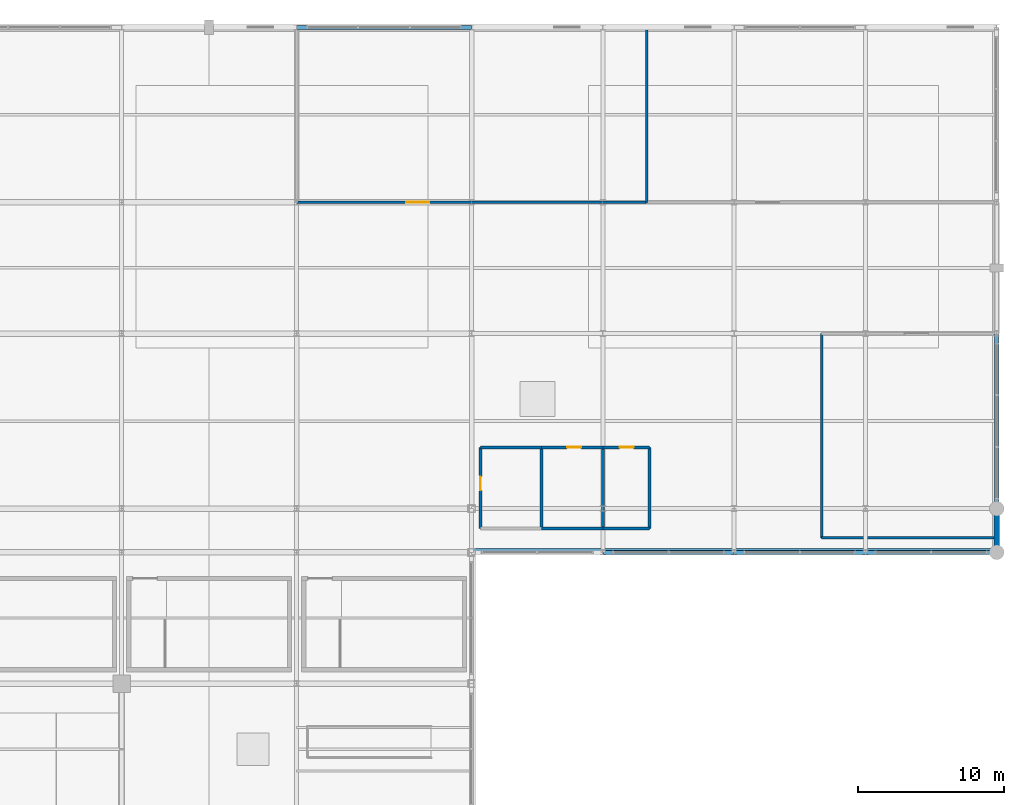
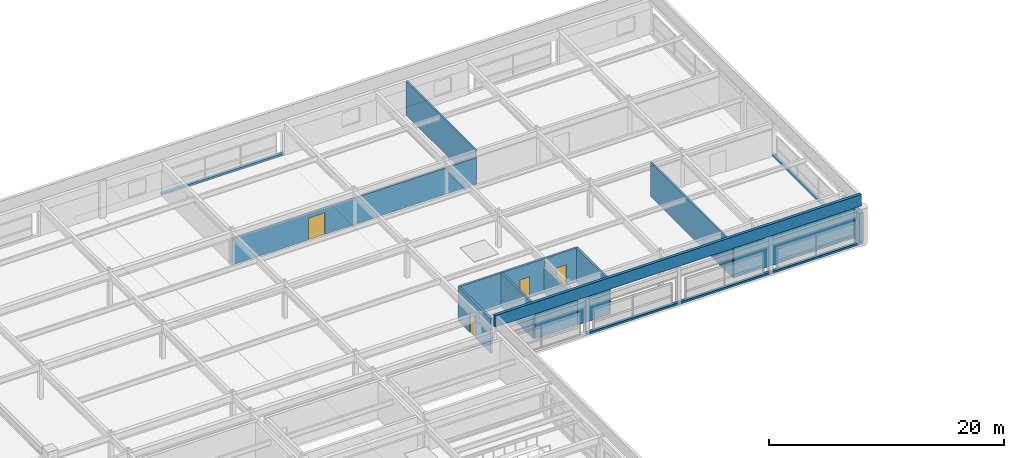
# One storey, part 98 of 108: 20 walls, 4 doors, 4 openings.
"""IFC4 building model written with IfcOpenShell, lengths in metres."""

from ifc_helpers import new_model, si_unit, direction, frame, frame_2d, origin, place, context, subcontext, project, spatial, rectangle, extrude, material, layer, layer_set, type_object, element, fill, save


model = new_model("IFC4")

# Units and contexts
model_context = context("Model", 3, precision=1e-05, world=origin(), true_north=direction((0.0, 1.0)))
body_context = subcontext(model_context, "Body", "Model", "MODEL_VIEW")
ifc_project = project(units=[si_unit("LENGTHUNIT", "METRE"), si_unit("AREAUNIT", "SQUARE_METRE"), si_unit("VOLUMEUNIT", "CUBIC_METRE"), si_unit("PLANEANGLEUNIT", "RADIAN"), si_unit("MASSUNIT", "GRAM", prefix="KILO")], contexts=[model_context])

# Site, building, storey
site_placement = place(None, origin())
site = spatial("IfcSite", under=ifc_project, at=site_placement, CompositionType="ELEMENT")
building_placement = place(site_placement, origin())
building = spatial("IfcBuilding", under=site, at=building_placement, Name="Kaldorvane Square Convention Centre", CompositionType="ELEMENT")
storey_placement = place(building_placement, frame((0.0, 0.0, 23.399993896484375)))
storey = spatial("IfcBuildingStorey", under=building, at=storey_placement, Name="L04", CompositionType="ELEMENT", Elevation=23.399993896484375)

# Walls
ifc_material_1 = material(Name="Fire-Rated Gypsum Board on Acoustic Steel Studs", Category="steel")
ifc_layer_1 = layer(ifc_material_1, 0.1999969482421875)
ifc_layer_set_1 = layer_set([ifc_layer_1], Name="Fire-Rated Gypsum Board on Acoustic Steel Studs")
wall_type_1 = type_object("IfcWallType", Name="WL-CORR-200", PredefinedType="PARTITIONING", material=ifc_layer_set_1)
wall_1_placement = place(storey_placement, frame((142.8000030517578, 82.64999389648438, 0.0), z_axis=(0.0, 0.0, 1.0), x_axis=(0.0, 1.0, 0.0)))
element("IfcWall", 1, at=wall_1_placement, inside=storey, type_object=wall_type_1, Name="East Concourse Men's Restroom (L04) E Wall", PredefinedType="PARTITIONING", context=body_context, shape_type="SweptSolid", body=[
    extrude(rectangle(XDim=5.5500030517578125, YDim=0.1999969482421875, at=frame_2d((2.774993896484375, 0.0))), origin(), (0.0, 0.0, 1.0), 3.529998779296875),
])
wall_2_placement = place(storey_placement, frame((142.8000030517578, 88.19999694824219, 0.0), z_axis=(0.0, 0.0, 1.0), x_axis=(-1.0, 0.0, 0.0)))
element("IfcWall", 2, at=wall_2_placement, inside=storey, type_object=wall_type_1, Name="East Concourse Men's Restroom (L04) N Wall", PredefinedType="PARTITIONING", context=body_context, shape_type="SweptSolid", body=[
    extrude(rectangle(XDim=4.1999969482421875, YDim=0.1999969482421875, at=frame_2d((2.100006103515625, 0.0))), origin(), (0.0, 0.0, 1.0), 3.529998779296875),
])

# Wall, opening, door
wall_3_placement = place(storey_placement, frame((138.60000610351562, 88.19999694824219, 0.0), z_axis=(0.0, 0.0, 1.0), x_axis=(0.0, -1.0, 0.0)))
wall_3 = element("IfcWall", 3, at=wall_3_placement, inside=storey, type_object=wall_type_1, Name="East Concourse Men's Restroom (L04) W Wall", PredefinedType="PARTITIONING", context=body_context, shape_type="SweptSolid", body=[
    extrude(rectangle(XDim=5.5500030517578125, YDim=0.1999969482421875, at=frame_2d((2.774993896484375, 0.0))), origin(), (0.0, 0.0, 1.0), 3.529998779296875),
])
opening_1_placement = place(wall_3_placement, frame((2.0, 0.0, 0.0)))
opening_1 = element("IfcOpeningElement", 4, at=opening_1_placement, cuts=wall_3, Name="Opening ID-13", PredefinedType="OPENING", context=body_context, shape_type="SweptSolid", body=[
    extrude(rectangle(XDim=0.9499969482421875, YDim=2.149993896484375, at=frame_2d((0.475006103515625, 1.0749969482421875))), frame((0.0, 0.114990234375, 0.0), z_axis=(0.0, -1.0, 0.0), x_axis=(1.0, 0.0, 0.0)), (0.0, 0.0, 1.0), 0.2299957275390625),
])
ifc_material_2 = material(Name="Architectural Solid-Core White Oak")
door_type_1 = type_object("IfcDoorType", Name="DR-WC-0950X2150", OperationType="SINGLE_SWING_LEFT", PredefinedType="DOOR", material=ifc_material_2)
door_1_placement = place(opening_1_placement, origin())
door_1 = element("IfcDoor", 5, at=door_1_placement, inside=storey, type_object=door_type_1, Name="East Concourse Men's Restroom (L04) Door 1", OperationType="SINGLE_SWING_LEFT", OverallHeight=2.149993896484375, OverallWidth=0.9499969482421875, PredefinedType="DOOR", context=body_context, shape_type="SweptSolid", body=[
    extrude(rectangle(XDim=0.9499969482421875, YDim=2.149993896484375, at=frame_2d((0.475006103515625, 1.0749969482421875))), frame((0.0, 0.024993896484375, 0.0), z_axis=(0.0, -1.0, 0.0), x_axis=(1.0, 0.0, 0.0)), (0.0, 0.0, 1.0), 0.0500030517578125),
])
fill(opening_1, door_1)

# Walls
wall_4_placement = place(storey_placement, frame((142.8000030517578, 82.64999389648438, 0.0), z_axis=(0.0, 0.0, 1.0), x_axis=(1.0, 0.0, 0.0)))
element("IfcWall", 6, at=wall_4_placement, inside=storey, type_object=wall_type_1, Name="East Concourse Women's Restroom (L04) S Wall", PredefinedType="PARTITIONING", context=body_context, shape_type="SweptSolid", body=[
    extrude(rectangle(XDim=4.1999969482421875, YDim=0.1999969482421875, at=frame_2d((2.100006103515625, 0.0))), origin(), (0.0, 0.0, 1.0), 3.529998779296875),
])
wall_5_placement = place(storey_placement, frame((147.0, 82.64999389648438, 0.0), z_axis=(0.0, 0.0, 1.0), x_axis=(0.0, 1.0, 0.0)))
element("IfcWall", 7, at=wall_5_placement, inside=storey, type_object=wall_type_1, Name="East Concourse Women's Restroom (L04) E Wall", PredefinedType="PARTITIONING", context=body_context, shape_type="SweptSolid", body=[
    extrude(rectangle(XDim=5.5500030517578125, YDim=0.1999969482421875, at=frame_2d((2.774993896484375, 0.0))), origin(), (0.0, 0.0, 1.0), 2.6800079345703125),
])

# Wall, opening, door
wall_6_placement = place(storey_placement, frame((147.0, 88.19999694824219, 0.0), z_axis=(0.0, 0.0, 1.0), x_axis=(-1.0, 0.0, 0.0)))
wall_6 = element("IfcWall", 8, at=wall_6_placement, inside=storey, type_object=wall_type_1, Name="East Concourse Women's Restroom (L04) N Wall", PredefinedType="PARTITIONING", context=body_context, shape_type="SweptSolid", body=[
    extrude(rectangle(XDim=4.1999969482421875, YDim=0.1999969482421875, at=frame_2d((2.100006103515625, 0.0))), origin(), (0.0, 0.0, 1.0), 3.529998779296875),
])
opening_2_placement = place(wall_6_placement, frame((1.5, 0.0, 0.0)))
opening_2 = element("IfcOpeningElement", 9, at=opening_2_placement, cuts=wall_6, Name="Opening ID-13", PredefinedType="OPENING", context=body_context, shape_type="SweptSolid", body=[
    extrude(rectangle(XDim=0.9499969482421875, YDim=2.149993896484375, at=frame_2d((0.475006103515625, 1.0749969482421875))), frame((0.0, 0.114990234375, 0.0), z_axis=(0.0, -1.0, 0.0), x_axis=(1.0, 0.0, 0.0)), (0.0, 0.0, 1.0), 0.2299957275390625),
])
door_2_placement = place(opening_2_placement, origin())
door_2 = element("IfcDoor", 10, at=door_2_placement, inside=storey, type_object=door_type_1, Name="East Concourse Women's Restroom (L04) Door 1", OperationType="SINGLE_SWING_LEFT", OverallHeight=2.149993896484375, OverallWidth=0.9499969482421875, PredefinedType="DOOR", context=body_context, shape_type="SweptSolid", body=[
    extrude(rectangle(XDim=0.9499969482421875, YDim=2.149993896484375, at=frame_2d((0.475006103515625, 1.0749969482421875))), frame((0.0, 0.024993896484375, 0.0), z_axis=(0.0, -1.0, 0.0), x_axis=(1.0, 0.0, 0.0)), (0.0, 0.0, 1.0), 0.0500030517578125),
])
fill(opening_2, door_2)

# Walls
wall_7_placement = place(storey_placement, frame((147.0, 82.64999389648438, 0.0), z_axis=(0.0, 0.0, 1.0), x_axis=(1.0, 0.0, 0.0)))
element("IfcWall", 11, at=wall_7_placement, inside=storey, type_object=wall_type_1, Name="East Concourse Accessible Restroom (L04) S Wall", PredefinedType="PARTITIONING", context=body_context, shape_type="SweptSolid", body=[
    extrude(rectangle(XDim=3.1999969482421875, YDim=0.1999969482421875, at=frame_2d((1.600006103515625, 0.0))), origin(), (0.0, 0.0, 1.0), 3.529998779296875),
])
wall_8_placement = place(storey_placement, frame((150.1999969482422, 82.64999389648438, 0.0), z_axis=(0.0, 0.0, 1.0), x_axis=(0.0, 1.0, 0.0)))
element("IfcWall", 12, at=wall_8_placement, inside=storey, type_object=wall_type_1, Name="East Concourse Accessible Restroom (L04) E Wall", PredefinedType="PARTITIONING", context=body_context, shape_type="SweptSolid", body=[
    extrude(rectangle(XDim=5.5500030517578125, YDim=0.1999969482421875, at=frame_2d((2.774993896484375, 0.0))), origin(), (0.0, 0.0, 1.0), 3.529998779296875),
])

# Wall, opening, door
wall_9_placement = place(storey_placement, frame((150.1999969482422, 88.19999694824219, 0.0), z_axis=(0.0, 0.0, 1.0), x_axis=(-1.0, 0.0, 0.0)))
wall_9 = element("IfcWall", 13, at=wall_9_placement, inside=storey, type_object=wall_type_1, Name="East Concourse Accessible Restroom (L04) N Wall", PredefinedType="PARTITIONING", context=body_context, shape_type="SweptSolid", body=[
    extrude(rectangle(XDim=3.1999969482421875, YDim=0.1999969482421875, at=frame_2d((1.600006103515625, 0.0))), origin(), (0.0, 0.0, 1.0), 3.529998779296875),
])
opening_3_placement = place(wall_9_placement, frame((1.100006103515625, 0.0, 0.0)))
opening_3 = element("IfcOpeningElement", 14, at=opening_3_placement, cuts=wall_9, Name="Opening ID-13", PredefinedType="OPENING", context=body_context, shape_type="SweptSolid", body=[
    extrude(rectangle(XDim=0.9499969482421875, YDim=2.149993896484375, at=frame_2d((0.475006103515625, 1.0749969482421875))), frame((0.0, 0.114990234375, 0.0), z_axis=(0.0, -1.0, 0.0), x_axis=(1.0, 0.0, 0.0)), (0.0, 0.0, 1.0), 0.2299957275390625),
])
door_3_placement = place(opening_3_placement, origin())
door_3 = element("IfcDoor", 15, at=door_3_placement, inside=storey, type_object=door_type_1, Name="East Concourse Accessible Restroom (L04) Door 1", OperationType="SINGLE_SWING_LEFT", OverallHeight=2.149993896484375, OverallWidth=0.9499969482421875, PredefinedType="DOOR", context=body_context, shape_type="SweptSolid", body=[
    extrude(rectangle(XDim=0.9499969482421875, YDim=2.149993896484375, at=frame_2d((0.475006103515625, 1.0749969482421875))), frame((0.0, 0.024993896484375, 0.0), z_axis=(0.0, -1.0, 0.0), x_axis=(1.0, 0.0, 0.0)), (0.0, 0.0, 1.0), 0.0500030517578125),
])
fill(opening_3, door_3)

# Walls
ifc_material_3 = material(Name="Concrete f'c = 42 MPa (Normalweight)", Category="concrete")
ifc_layer_2 = layer(ifc_material_3, 0.3800048828125)
ifc_layer_set_2 = layer_set([ifc_layer_2], Name="Concrete f'c = 42 MPa (Normalweight)")
wall_type_2 = type_object("IfcWallType", Name="WL-EXT-380", PredefinedType="STANDARD", material=ifc_layer_set_2)
wall_10_placement = place(storey_placement, frame((174.0, 81.0, 0.0), z_axis=(0.0, 0.0, 1.0), x_axis=(0.0, 1.0, 0.0)))
element("IfcWall", 16, at=wall_10_placement, inside=storey, type_object=wall_type_2, Name="East Square Brutalist Wing Wall (L04)", PredefinedType="STANDARD", context=body_context, shape_type="SweptSolid", body=[
    extrude(rectangle(XDim=3.0, YDim=0.3800048828125, at=frame_2d((1.5, 0.0))), origin(), (0.0, 0.0, 1.0), 3.1190032958984375),
])
ifc_material_4 = material(Name="Concrete f'c = 35 MPa (Normalweight)", Category="concrete")
ifc_layer_3 = layer(ifc_material_4, 0.279998779296875)
ifc_layer_set_3 = layer_set([ifc_layer_3], Name="Concrete f'c = 35 MPa (Normalweight)")
wall_type_3 = type_object("IfcWallType", Name="WL-PAR-280", PredefinedType="PARAPET", material=ifc_layer_set_3)
for number, where, z_axis, x_axis, name in (
    (17, (138.0, 117.0, 0.0), (0.0, 0.0, 1.0), (-1.0, 0.0, 0.0), "North Curtain-Wall Sill Kerb (L04)"),
    (18, (174.0, 84.0, 0.0), (0.0, 0.0, 1.0), (0.0, 1.0, 0.0), "East Curtain-Wall Sill Kerb (L04)"),
):
    element("IfcWall", number, at=place(storey_placement, frame(where, z_axis=z_axis, x_axis=x_axis)), inside=storey, type_object=wall_type_3, Name=name, PredefinedType="PARAPET", context=body_context, shape_type="SweptSolid", body=[
        extrude(rectangle(XDim=12.0, YDim=0.279998779296875, at=frame_2d((6.0, 0.0))), origin(), (0.0, 0.0, 1.0), 0.20001220703125),
    ])
for number, where, z_axis, x_axis, name in (
    (19, (147.0, 81.0, 0.0), (0.0, 0.0, 1.0), (1.0, 0.0, 0.0), "Forecourt Glazing Sill (L04)"),
    (20, (156.0, 81.0, 0.0), (0.0, 0.0, 1.0), (1.0, 0.0, 0.0), "Forecourt Glazing Sill (L04)"),
    (21, (165.0, 81.0, 0.0), (0.0, 0.0, 1.0), (1.0, 0.0, 0.0), "Forecourt Glazing Sill (L04)"),
):
    element("IfcWall", number, at=place(storey_placement, frame(where, z_axis=z_axis, x_axis=x_axis)), inside=storey, type_object=wall_type_3, Name=name, PredefinedType="PARAPET", context=body_context, shape_type="SweptSolid", body=[
        extrude(rectangle(XDim=9.0, YDim=0.279998779296875, at=frame_2d((4.5, 0.0))), origin(), (0.0, 0.0, 1.0), 0.20001220703125),
    ])
wall_11_placement = place(storey_placement, frame((138.0, 81.13999938964844, 3.850006103515625), z_axis=(0.0, 0.0, 1.0), x_axis=(1.0, 0.0, 0.0)))
element("IfcWall", 22, at=wall_11_placement, inside=storey, type_object=wall_type_3, Name="Podium Roof Parapet FN", PredefinedType="PARAPET", context=body_context, shape_type="SweptSolid", body=[
    extrude(rectangle(XDim=36.0, YDim=0.279998779296875, at=frame_2d((18.0, 0.0))), origin(), (0.0, 0.0, 1.0), 1.1999969482421875),
])
ifc_layer_4 = layer(ifc_material_1, 0.1649932861328125)
ifc_layer_set_4 = layer_set([ifc_layer_4], Name="Fire-Rated Gypsum Board on Acoustic Steel Studs")
wall_type_4 = type_object("IfcWallType", Name="WL-PART-165", PredefinedType="PARTITIONING", material=ifc_layer_set_4)
wall_12_placement = place(storey_placement, frame((162.0, 82.0, 0.0), z_axis=(0.0, 0.0, 1.0), x_axis=(1.0, 0.0, 0.0)))
element("IfcWall", 23, at=wall_12_placement, inside=storey, type_object=wall_type_4, Name="Meeting Room 408 S Wall", PredefinedType="PARTITIONING", context=body_context, shape_type="SweptSolid", body=[
    extrude(rectangle(XDim=11.80999755859375, YDim=0.1649932861328125, at=frame_2d((5.904998779296875, 0.0))), origin(), (0.0, 0.0, 1.0), 3.529998779296875),
])
wall_13_placement = place(storey_placement, frame((162.0, 96.0, 0.0), z_axis=(0.0, 0.0, 1.0), x_axis=(0.0, -1.0, 0.0)))
element("IfcWall", 24, at=wall_13_placement, inside=storey, type_object=wall_type_4, Name="Meeting Room 408 W Wall", PredefinedType="PARTITIONING", context=body_context, shape_type="SweptSolid", body=[
    extrude(rectangle(XDim=14.0, YDim=0.1649932861328125, at=frame_2d((7.0, 0.0))), origin(), (0.0, 0.0, 1.0), 3.529998779296875),
])

# Wall, opening, door
wall_14_placement = place(storey_placement, frame((126.0, 105.0, 0.0), z_axis=(0.0, 0.0, 1.0), x_axis=(1.0, 0.0, 0.0)))
wall_14 = element("IfcWall", 25, at=wall_14_placement, inside=storey, type_object=wall_type_4, Name="Meeting Room 409 S Wall", PredefinedType="PARTITIONING", context=body_context, shape_type="SweptSolid", body=[
    extrude(rectangle(XDim=24.0, YDim=0.1649932861328125, at=frame_2d((12.0, 0.0))), origin(), (0.0, 0.0, 1.0), 2.7519989013671875),
])
opening_4_placement = place(wall_14_placement, frame((7.5, 0.0, 0.0)))
opening_4 = element("IfcOpeningElement", 26, at=opening_4_placement, cuts=wall_14, Name="Opening ID-07", PredefinedType="OPENING", context=body_context, shape_type="SweptSolid", body=[
    extrude(rectangle(XDim=1.600006103515625, YDim=2.25, at=frame_2d((0.8000030517578125, 1.125))), frame((0.0, 0.097503662109375, 0.0), z_axis=(0.0, -1.0, 0.0), x_axis=(1.0, 0.0, 0.0)), (0.0, 0.0, 1.0), 0.1949920654296875),
])
door_type_2 = type_object("IfcDoorType", Name="DR-MEET-1600X2250", OperationType="DOUBLE_DOOR_SINGLE_SWING", PredefinedType="DOOR", material=ifc_material_2)
door_4_placement = place(opening_4_placement, origin())
door_4 = element("IfcDoor", 27, at=door_4_placement, inside=storey, type_object=door_type_2, Name="Meeting Room 409 Door 1", OperationType="DOUBLE_DOOR_SINGLE_SWING", OverallHeight=2.25, OverallWidth=1.600006103515625, PredefinedType="DOOR", context=body_context, shape_type="SweptSolid", body=[
    extrude(rectangle(XDim=1.600006103515625, YDim=2.25, at=frame_2d((0.8000030517578125, 1.125))), frame((0.0, 0.024993896484375, 0.0), z_axis=(0.0, -1.0, 0.0), x_axis=(1.0, 0.0, 0.0)), (0.0, 0.0, 1.0), 0.0500030517578125),
])
fill(opening_4, door_4)

# Wall
wall_15_placement = place(storey_placement, frame((150.0, 105.0, 0.0), z_axis=(0.0, 0.0, 1.0), x_axis=(0.0, 1.0, 0.0)))
element("IfcWall", 28, at=wall_15_placement, inside=storey, type_object=wall_type_4, Name="Meeting Room 409 E Wall", PredefinedType="PARTITIONING", context=body_context, shape_type="SweptSolid", body=[
    extrude(rectangle(XDim=11.80999755859375, YDim=0.1649932861328125, at=frame_2d((5.904998779296875, 0.0))), origin(), (0.0, 0.0, 1.0), 3.529998779296875),
])

save(model, "model.ifc")
